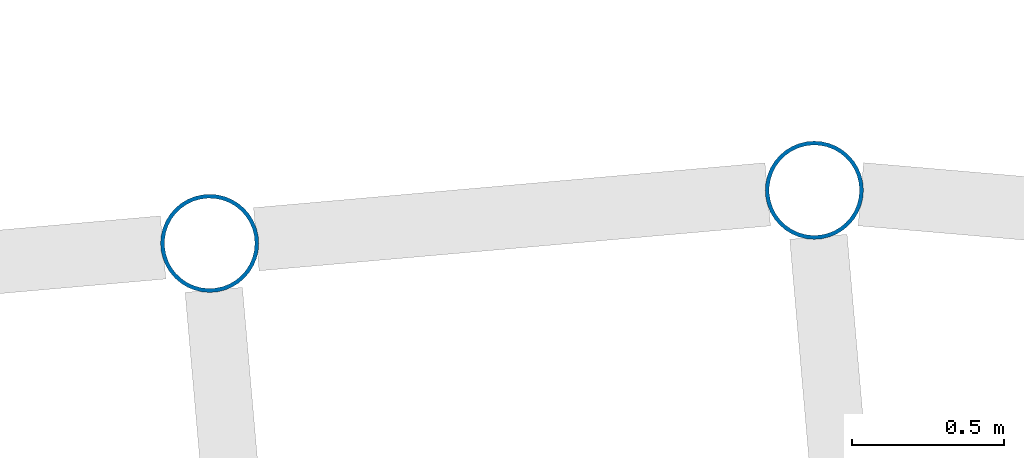
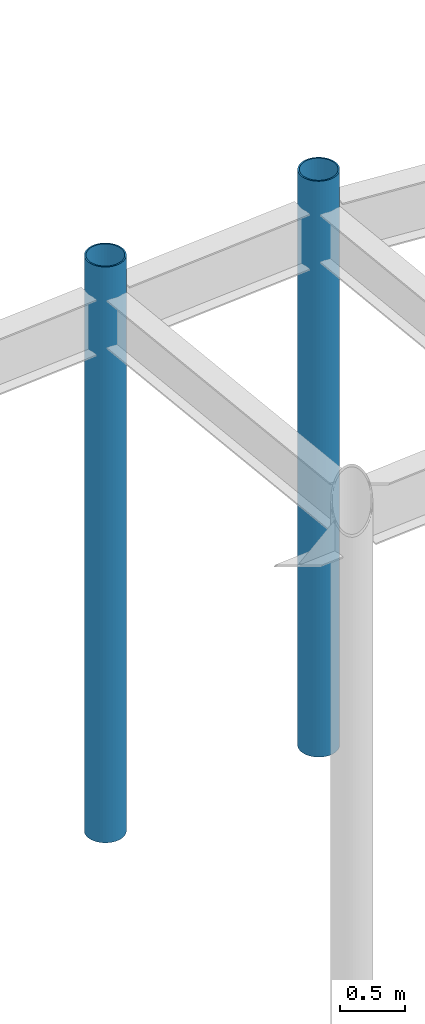
# One storey, part 14 of 93: 2 columns.
"""IFC4 building model written with IfcOpenShell, lengths in metres."""

import ifcopenshell
import ifcopenshell.guid

model = None  # the IFC model being written
_history = None  # IfcOwnerHistory: only IFC2X3 demands one
_inside = {}  # id of a spatial element -> (the spatial element, [elements in it])
_under = {}  # id of a project, library or spatial element -> (it, [spatial elements below it])
_declared = {}  # id of a project -> (the project, [libraries it declares])
_typed = {}  # id of a type object -> (the type object, [elements of that type])
_made_of = {}  # id of a material, layer set ... -> (it, [elements and type objects made of it])


def new_model(schema):
    """Start an empty IFC model of exactly this schema.

    Asked for "IFC4X3", IfcOpenShell would pick the latest addendum, in which some entities
    have other attributes; the version numbers below select the first issue.
    IFC2X3 requires an IfcOwnerHistory on every rooted entity: one is made here for all.
    """
    global model, _history
    if schema == "IFC4X3":
        model = ifcopenshell.file(schema_version=(4, 3, 0, 0))
    else:
        model = ifcopenshell.file(schema=schema)
    _inside.clear()
    _under.clear()
    _declared.clear()
    _typed.clear()
    _made_of.clear()
    _history = None
    if model.schema == "IFC2X3":
        org = make("IfcOrganization", Name="unknown")
        user = make(
            "IfcPersonAndOrganization",
            ThePerson=make("IfcPerson", FamilyName="unknown"),
            TheOrganization=org,
        )
        app = make(
            "IfcApplication",
            ApplicationDeveloper=org,
            Version="unknown",
            ApplicationFullName="unknown",
            ApplicationIdentifier="unknown",
        )
        _history = make(
            "IfcOwnerHistory",
            OwningUser=user,
            OwningApplication=app,
            ChangeAction="ADDED",
            CreationDate=0,
        )
    return model


def make(cls, **values):
    """One entity of the class cls with the attributes given. An attribute that is None is left unset."""
    return model.create_entity(
        cls, **{name: value for name, value in values.items() if value is not None}
    )


def rooted(cls, **values):
    """An entity with a GlobalId (a new one), such as an element, a storey or a relation."""
    return make(cls, GlobalId=ifcopenshell.guid.new(), OwnerHistory=_history, **values)


def si_unit(unit_type, name, prefix=None):
    """IfcSIUnit, for example si_unit("LENGTHUNIT", "METRE", prefix="MILLI")."""
    return make("IfcSIUnit", UnitType=unit_type, Prefix=prefix, Name=name)


def assignment(units):
    """IfcUnitAssignment: the units of a project."""
    return None if units is None else make("IfcUnitAssignment", Units=units)


def point(xyz):
    """IfcCartesianPoint."""
    return None if xyz is None else make("IfcCartesianPoint", Coordinates=xyz)


def direction(xyz):
    """IfcDirection."""
    return None if xyz is None else make("IfcDirection", DirectionRatios=xyz)


def frame(location, z_axis=None, x_axis=None):
    """IfcAxis2Placement3D, a coordinate frame: its origin and axes. An axis left out is left unset."""
    return make(
        "IfcAxis2Placement3D",
        Location=point(location),
        Axis=direction(z_axis),
        RefDirection=direction(x_axis),
    )


def frame_2d(location, x_axis=None):
    """IfcAxis2Placement2D, a coordinate frame in the plane: its origin and x axis."""
    return make(
        "IfcAxis2Placement2D", Location=point(location), RefDirection=direction(x_axis)
    )


def origin():
    """The frame at (0, 0, 0) with its axes left unset."""
    return frame((0.0, 0.0, 0.0))


def origin_2d():
    """The frame at (0, 0) in the plane with its x axis left unset."""
    return frame_2d((0.0, 0.0))


def place(relative_to, where):
    """IfcLocalPlacement: puts the frame where relative to a parent placement (None: the world)."""
    return make(
        "IfcLocalPlacement", PlacementRelTo=relative_to, RelativePlacement=where
    )


def context(
    kind, dimensions, precision=None, world=None, true_north=None, identifier=None
):
    """IfcGeometricRepresentationContext, for example the 3D "Model" context."""
    return make(
        "IfcGeometricRepresentationContext",
        ContextIdentifier=identifier,
        ContextType=kind,
        CoordinateSpaceDimension=dimensions,
        Precision=precision,
        WorldCoordinateSystem=world,
        TrueNorth=true_north,
    )


def subcontext(parent, identifier, kind, view, scale=None):
    """IfcGeometricRepresentationSubContext, for example "Body" below "Model"."""
    return make(
        "IfcGeometricRepresentationSubContext",
        ContextIdentifier=identifier,
        ContextType=kind,
        ParentContext=parent,
        TargetScale=scale,
        TargetView=view,
    )


def project(units=None, contexts=None):
    """IfcProject with its units and contexts."""
    return rooted(
        "IfcProject",
        Name="project",
        RepresentationContexts=contexts,
        UnitsInContext=assignment(units),
    )


def spatial(cls, under=None, at=None, **own):
    """A site, building, storey or space (cls), placed at a placement, below another one or the project."""
    s = rooted(cls, ObjectPlacement=at, **own)
    if under is not None:
        _under.setdefault(under.id(), (under, []))[1].append(s)
    return s


def profile(cls, at=None, kind="AREA", **sizes):
    """A parametric profile (cls). Its sizes go by their IFC names, for example OverallWidth=200.0."""
    return make(cls, ProfileType=kind, Position=at, **sizes)


def hollow_circle(**sizes):
    """IfcCircleHollowProfileDef."""
    return profile("IfcCircleHollowProfileDef", **sizes)


def extrude(swept, where, along, depth):
    """IfcExtrudedAreaSolid: the profile swept, set in the frame where, extruded along a direction by depth."""
    return make(
        "IfcExtrudedAreaSolid",
        SweptArea=swept,
        Position=where,
        ExtrudedDirection=direction(along),
        Depth=depth,
    )


def shape(context_of_items, identifier, shape_type, items):
    """IfcShapeRepresentation: the items that make up one representation, for example the "Body"."""
    return make(
        "IfcShapeRepresentation",
        ContextOfItems=context_of_items,
        RepresentationIdentifier=identifier,
        RepresentationType=shape_type,
        Items=items,
    )


def material(Name=None, Category=None):
    """IfcMaterial."""
    return make("IfcMaterial", Name=Name, Category=Category)


def material_profile(
    of_material, cross_section, Name=None, Category=None, Priority=None
):
    """IfcMaterialProfile: a cross section and its material."""
    return make(
        "IfcMaterialProfile",
        Name=Name,
        Material=of_material,
        Profile=cross_section,
        Priority=Priority,
        Category=Category,
    )


def profile_set(profiles, Name=None, composite=None):
    """IfcMaterialProfileSet."""
    return make(
        "IfcMaterialProfileSet",
        Name=Name,
        MaterialProfiles=profiles,
        CompositeProfile=composite,
    )


def made_of(thing, what):
    """Note that an element or type object is made of a material, layer set ...; save() writes the relation."""
    if what is not None:
        _made_of.setdefault(what.id(), (what, []))[1].append(thing)
    return thing


def type_object(cls, material=None, **own):
    """A type object (cls), such as IfcWallType, which elements share."""
    return made_of(rooted(cls, **own), material)


def element(
    cls,
    number,
    at=None,
    inside=None,
    cuts=None,
    type_object=None,
    material=None,
    context=None,
    identifier="Body",
    shape_type=None,
    held_by="IfcProductDefinitionShape",
    body=None,
    shapes=None,
    **own,
):
    """One element of the class cls, such as IfcWall. Its Tag is "e" and its number.

    at: its placement. inside: the storey or other place that contains it. cuts: it is an
    opening in that element (IfcRelVoidsElement). A single representation is given by context,
    identifier, shape_type and body (its items); several are given by shapes. held_by: the class
    of the entity that holds the representations. save() writes the other relations.
    """
    e = rooted(cls, Tag="e%d" % number, ObjectPlacement=at, **own)
    if body is not None:
        shapes = [shape(context, identifier, shape_type, body)]
    if shapes is not None:
        e.Representation = make(held_by, Representations=shapes)
    if inside is not None:
        _inside.setdefault(inside.id(), (inside, []))[1].append(e)
    if cuts is not None:
        rooted(
            "IfcRelVoidsElement", RelatingBuildingElement=cuts, RelatedOpeningElement=e
        )
    if type_object is not None:
        _typed.setdefault(type_object.id(), (type_object, []))[1].append(e)
    return made_of(e, material)


def aggregate(whole, parts):
    """IfcRelAggregates: a whole, such as a stair, and the parts it consists of."""
    return rooted("IfcRelAggregates", RelatingObject=whole, RelatedObjects=parts)


def save(model, path):
    """Write the relations noted so far, then the file.

    IfcRelAggregates (storeys below a building ...), IfcRelContainedInSpatialStructure (elements
    in a storey), IfcRelDefinesByType, IfcRelAssociatesMaterial and IfcRelDeclares: one each for
    every whole, place, type object, material and project.
    """
    for whole, parts in _under.values():
        aggregate(whole, parts)
    for where, things in _inside.values():
        rooted(
            "IfcRelContainedInSpatialStructure",
            RelatedElements=things,
            RelatingStructure=where,
        )
    for kind, things in _typed.values():
        rooted("IfcRelDefinesByType", RelatedObjects=things, RelatingType=kind)
    for what, things in _made_of.values():
        rooted("IfcRelAssociatesMaterial", RelatedObjects=things, RelatingMaterial=what)
    for by, libraries in _declared.values():
        rooted("IfcRelDeclares", RelatingContext=by, RelatedDefinitions=libraries)
    model.write(path)


model = new_model("IFC4")

# Units and contexts
model_context = context("Model", 3, precision=1e-05, world=origin(), true_north=direction((0.0, 1.0)))
body_context = subcontext(model_context, "Body", "Model", "MODEL_VIEW")
ifc_project = project(units=[si_unit("LENGTHUNIT", "METRE"), si_unit("AREAUNIT", "SQUARE_METRE"), si_unit("VOLUMEUNIT", "CUBIC_METRE"), si_unit("PLANEANGLEUNIT", "RADIAN"), si_unit("MASSUNIT", "GRAM", prefix="KILO")], contexts=[model_context])

# Site, building, storey
site_placement = place(None, origin())
site = spatial("IfcSite", under=ifc_project, at=site_placement, CompositionType="ELEMENT")
building_placement = place(site_placement, origin())
building = spatial("IfcBuilding", under=site, at=building_placement, Name="Cinderbank Siding Concert Hall", CompositionType="ELEMENT")
storey_placement = place(building_placement, origin())
storey = spatial("IfcBuildingStorey", under=building, at=storey_placement, Name="L01", CompositionType="ELEMENT", Elevation=0.0)

# Columns
ifc_material = material(Name="Structural steel hollow section AS/NZS 1163 Grade C350L0 (350 MPa)", Category="steel")
ifc_material_profile = material_profile(ifc_material, hollow_circle(Radius=0.161865234375, WallThickness=0.0126953125, at=origin_2d()), Name="323.9x12.7CHS", Category="LoadBearing")
ifc_profile_set = profile_set([ifc_material_profile], Name="Structural steel hollow section AS/NZS 1163 Grade C350L0 (350 MPa)")
column_type = type_object("IfcColumnType", Name="C-CHS323 323.9x12.7CHS", PredefinedType="COLUMN", material=ifc_profile_set)
for number, where, z_axis, x_axis, name in (
    (1, (77.200927734375, 102.260986328125, 0.0), (0.0, 0.0, 1.0), (1.0, 0.0, 0.0), "L01 Column COL-BRL-03"),
    (2, (79.194091796875, 102.43603515625, 0.0), (0.0, 0.0, 1.0), (1.0, 0.0, 0.0), "L01 Column COL-BRL-04"),
):
    element("IfcColumn", number, at=place(storey_placement, frame(where, z_axis=z_axis, x_axis=x_axis)), inside=storey, type_object=column_type, Name=name, PredefinedType="COLUMN", context=body_context, shape_type="SweptSolid", body=[
        extrude(hollow_circle(Radius=0.161865234375, WallThickness=0.0126953125, at=origin_2d()), origin(), (0.0, 0.0, 1.0), 5.39990234375),
    ])

save(model, "model.ifc")
